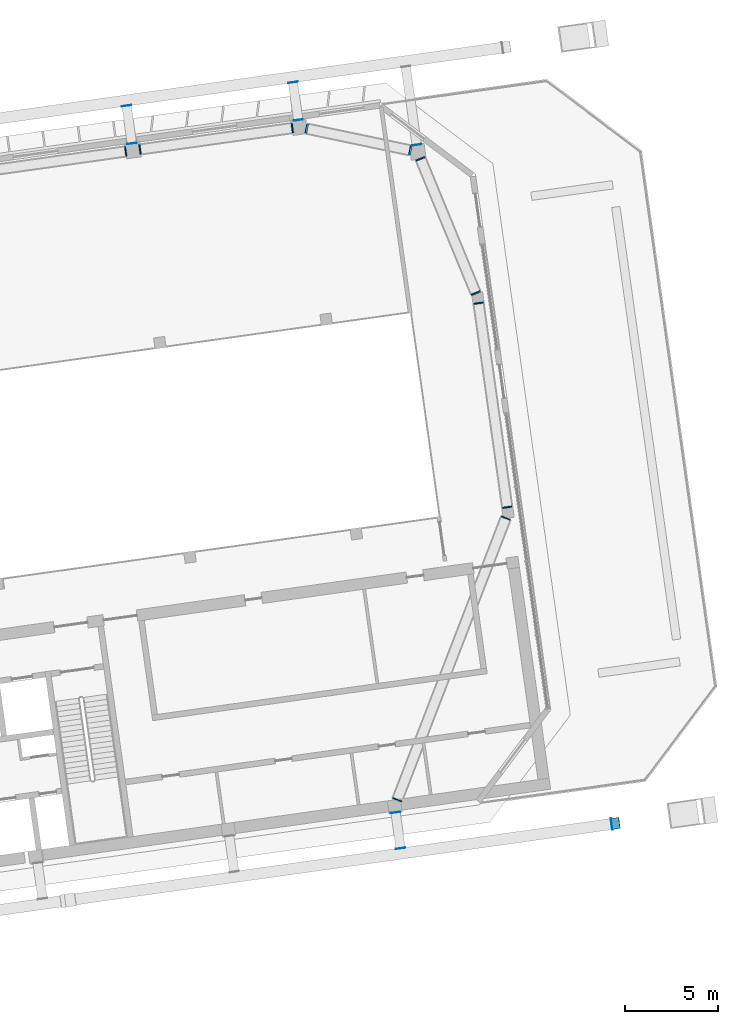
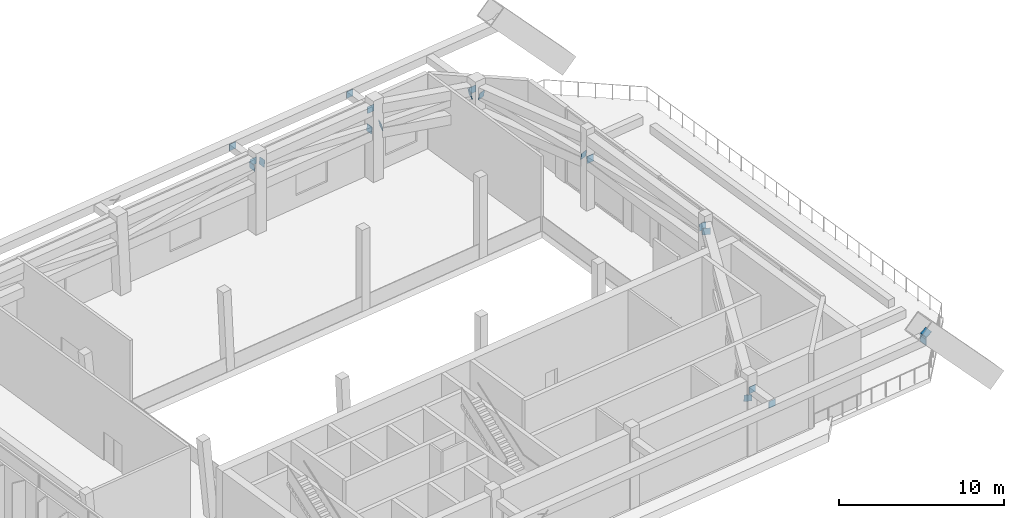
# One storey, part 26 of 29: 20 discrete accessories.
"""IFC4 building model written with IfcOpenShell, lengths in metres."""

from ifc_helpers import new_model, si_unit, direction, frame, origin, origin_2d, place, context, subcontext, project, spatial, rectangle, extrude, material, material_profile, profile_set, type_object, element, save


model = new_model("IFC4")

# Units and contexts
model_context = context("Model", 3, precision=1e-05, world=origin(), true_north=direction((0.0, 1.0)))
body_context = subcontext(model_context, "Body", "Model", "MODEL_VIEW")
ifc_project = project(units=[si_unit("LENGTHUNIT", "METRE"), si_unit("AREAUNIT", "SQUARE_METRE"), si_unit("VOLUMEUNIT", "CUBIC_METRE"), si_unit("PLANEANGLEUNIT", "RADIAN"), si_unit("MASSUNIT", "GRAM", prefix="KILO")], contexts=[model_context])

# Site, building, storey
site_placement = place(None, origin())
site = spatial("IfcSite", under=ifc_project, at=site_placement, CompositionType="ELEMENT")
building_placement = place(site_placement, origin())
building = spatial("IfcBuilding", under=site, at=building_placement, Name="Mirante Cascada Hotel Towers", CompositionType="ELEMENT")
storey_placement = place(building_placement, frame((0.0, 0.0, 210.6)))
storey = spatial("IfcBuildingStorey", under=building, at=storey_placement, Name="L50", CompositionType="ELEMENT", Elevation=210.6)

# Discrete accessories
ifc_material_1 = material(Name="Steel ASTM A572 Gr 50", Category="steel")
ifc_material_profile_1 = material_profile(ifc_material_1, rectangle(XDim=0.5, YDim=0.5, at=origin_2d()), Name="Connection plate 500x500x25 ASTM A572 Gr 50")
ifc_profile_set_1 = profile_set([ifc_material_profile_1], Name="Steel ASTM A572 Gr 50")
discrete_accessory_type_1 = type_object("IfcDiscreteAccessoryType", Name="Connection plate 500x500x25 ASTM A572 Gr 50", PredefinedType="BRACKET", material=ifc_profile_set_1)
for number, where, z_axis, x_axis, name in (
    (1, (53.8018, 19.825, 4.8486), (0.9843466, 0.1360479, 0.1120394), (-0.1369099, 0.9905835, 0.0), "Connection plate BT50D"),
    (2, (54.5544, 19.9307, 4.8517), (0.9807378, 0.1401054, -0.1361024), (-0.1414214, 0.9899495, 0.0), "Connection plate BT50D"),
):
    element("IfcDiscreteAccessory", number, at=place(storey_placement, frame(where, z_axis=z_axis, x_axis=x_axis)), inside=storey, type_object=discrete_accessory_type_1, Name=name, PredefinedType="BRACKET", context=body_context, shape_type="SweptSolid", body=[
        extrude(rectangle(XDim=0.5, YDim=0.5, at=origin_2d()), origin(), (0.0, 0.0, 1.0), 0.025),
    ])
discrete_accessory_1_placement = place(storey_placement, frame((62.7142, 21.0775, 3.7517), z_axis=(0.9808896, 0.1395575, -0.1355701), x_axis=(-0.1408579, 0.9900298, 0.0)))
element("IfcDiscreteAccessory", 3, at=discrete_accessory_1_placement, inside=storey, type_object=discrete_accessory_type_1, Name="Connection plate BT50D", PredefinedType="BRACKET", context=body_context, shape_type="SweptSolid", body=[
    extrude(rectangle(XDim=0.5, YDim=0.5, at=origin_2d()), origin(), (0.0, 0.0, 1.0), 0.0251),
])
for number, where, z_axis, x_axis, name in (
    (4, (63.4874, 21.0516, 3.7476), (0.9599616, -0.2039918, 0.1919923), (0.2078588, 0.9781589, 0.0), "Connection plate BT50D"),
    (5, (69.041, 19.8881, 4.8476), (0.9607381, -0.2001538, 0.1921476), (0.2039543, 0.9789804, 0.0), "Connection plate BT50D"),
    (6, (69.5944, 19.4506, 4.8517), (0.3762017, -0.9164914, -0.136073), (0.9250959, 0.3797337, 0.0), "Connection plate BT50D"),
    (7, (72.5554, 12.2539, 3.7517), (0.3796297, -0.9151073, -0.1358675), (0.9236725, 0.3831829, 0.0), "Connection plate BT50D"),
    (8, (72.7076, 11.7096, 3.7488), (0.1402054, -0.9854437, 0.0961409), (0.9900298, 0.1408579, 0.0), "Connection plate BT50D"),
):
    element("IfcDiscreteAccessory", number, at=place(storey_placement, frame(where, z_axis=z_axis, x_axis=x_axis)), inside=storey, type_object=discrete_accessory_type_1, Name=name, PredefinedType="BRACKET", context=body_context, shape_type="SweptSolid", body=[
        extrude(rectangle(XDim=0.5, YDim=0.5, at=origin_2d()), origin(), (0.0, 0.0, 1.0), 0.025),
    ])
discrete_accessory_2_placement = place(storey_placement, frame((74.2441, 0.7771, 4.8488), z_axis=(0.1396541, -0.9855588, 0.0957628), x_axis=(0.9901092, 0.1402989, 0.0)))
element("IfcDiscreteAccessory", 9, at=discrete_accessory_2_placement, inside=storey, type_object=discrete_accessory_type_1, Name="Connection plate BT50D", PredefinedType="BRACKET", context=body_context, shape_type="SweptSolid", body=[
    extrude(rectangle(XDim=0.5, YDim=0.5, at=origin_2d()), origin(), (0.0, 0.0, 1.0), 0.0251),
])
discrete_accessory_3_placement = place(storey_placement, frame((74.1731, 0.1975, 4.8508), z_axis=(-0.3595831, -0.9309208, -0.0639259), x_axis=(0.9328287, -0.3603201, 0.0)))
element("IfcDiscreteAccessory", 10, at=discrete_accessory_3_placement, inside=storey, type_object=discrete_accessory_type_1, Name="Connection plate BT50D", PredefinedType="BRACKET", context=body_context, shape_type="SweptSolid", body=[
    extrude(rectangle(XDim=0.5, YDim=0.5, at=origin_2d()), origin(), (0.0, 0.0, 1.0), 0.025),
])
discrete_accessory_4_placement = place(storey_placement, frame((68.3587, -14.8936, 3.7508), z_axis=(-0.3609252, -0.9303848, -0.0641645), x_axis=(0.932306, -0.3616704, 0.0)))
element("IfcDiscreteAccessory", 11, at=discrete_accessory_4_placement, inside=storey, type_object=discrete_accessory_type_1, Name="Connection plate BT50D", PredefinedType="BRACKET", context=body_context, shape_type="SweptSolid", body=[
    extrude(rectangle(XDim=0.5, YDim=0.5, at=origin_2d()), origin(), (0.0, 0.0, 1.0), 0.0249),
])
for number, where, z_axis, x_axis, name in (
    (12, (54.1392, 20.2435, 4.85), (-0.1397442, 0.9901876, 0.0), (-0.9901876, -0.1397442, 0.0), "Connection plate TIE"),
    (13, (53.8553, 22.2636, 4.85), (-0.1397442, 0.9901876, 0.0), (-0.9901876, -0.1397442, 0.0), "Connection plate TIE"),
):
    element("IfcDiscreteAccessory", number, at=place(storey_placement, frame(where, z_axis=z_axis, x_axis=x_axis)), inside=storey, type_object=discrete_accessory_type_1, Name=name, PredefinedType="BRACKET", context=body_context, shape_type="SweptSolid", body=[
        extrude(rectangle(XDim=0.5, YDim=0.5, at=origin_2d()), origin(), (0.0, 0.0, 1.0), 0.025),
    ])
discrete_accessory_5_placement = place(storey_placement, frame((63.0516, 21.4961, 4.85), z_axis=(-0.136366, 0.9906585, 0.0), x_axis=(-0.9906585, -0.136366, 0.0)))
element("IfcDiscreteAccessory", 14, at=discrete_accessory_5_placement, inside=storey, type_object=discrete_accessory_type_1, Name="Connection plate TIE", PredefinedType="BRACKET", context=body_context, shape_type="SweptSolid", body=[
    extrude(rectangle(XDim=0.5, YDim=0.5, at=origin_2d()), origin(), (0.0, 0.0, 1.0), 0.0249),
])
for number, where, z_axis, x_axis, name in (
    (15, (62.7677, 23.5162, 4.85), (-0.1397442, 0.9901876, 0.0), (-0.9901876, -0.1397442, 0.0), "Connection plate TIE"),
    (16, (68.2616, -15.5746, 4.85), (0.1397442, -0.9901876, 0.0), (0.9901876, 0.1397442, 0.0), "Connection plate TIE"),
    (17, (68.5316, -17.4957, 4.85), (0.1397442, -0.9901876, 0.0), (0.9901876, 0.1397442, 0.0), "Connection plate TIE"),
    (18, (69.3985, 20.1664, 4.85), (-0.1397442, 0.9901876, 0.0), (-0.9901876, -0.1397442, 0.0), "Connection plate TIE"),
):
    element("IfcDiscreteAccessory", number, at=place(storey_placement, frame(where, z_axis=z_axis, x_axis=x_axis)), inside=storey, type_object=discrete_accessory_type_1, Name=name, PredefinedType="BRACKET", context=body_context, shape_type="SweptSolid", body=[
        extrude(rectangle(XDim=0.5, YDim=0.5, at=origin_2d()), origin(), (0.0, 0.0, 1.0), 0.025),
    ])
ifc_material_2 = material(Name="Steel ASTM A572 Gr 50", Category="steel")
ifc_material_profile_2 = material_profile(ifc_material_2, rectangle(XDim=0.6, YDim=0.6, at=origin_2d()), Name="Connection plate 600x600x25 ASTM A572 Gr 50")
ifc_profile_set_2 = profile_set([ifc_material_profile_2], Name="Steel ASTM A572 Gr 50")
discrete_accessory_type_2 = type_object("IfcDiscreteAccessoryType", Name="Connection plate 600x600x25 ASTM A572 Gr 50", PredefinedType="BRACKET", material=ifc_profile_set_2)
for number, where, z_axis, x_axis, name in (
    (19, (80.0211, -16.1764, 5.2077), (-0.5558622, -0.0759812, 0.8277947), (0.1354313, -0.9907867, 0.0), "Connection plate MB-RL50R"),
    (20, (79.8253, -16.2039, 4.85), (0.9901876, 0.1397442, 0.0), (-0.1397442, 0.9901876, 0.0), "Connection plate NCH"),
):
    element("IfcDiscreteAccessory", number, at=place(storey_placement, frame(where, z_axis=z_axis, x_axis=x_axis)), inside=storey, type_object=discrete_accessory_type_2, Name=name, PredefinedType="BRACKET", context=body_context, shape_type="SweptSolid", body=[
        extrude(rectangle(XDim=0.6, YDim=0.6, at=origin_2d()), origin(), (0.0, 0.0, 1.0), 0.025),
    ])

save(model, "model.ifc")
